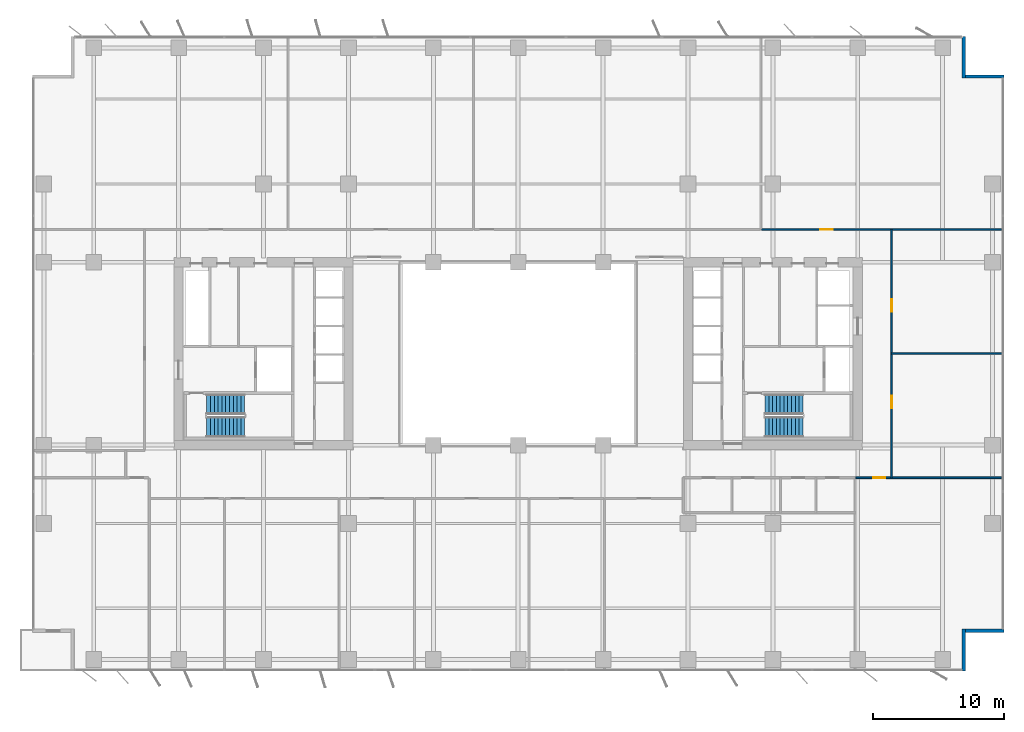
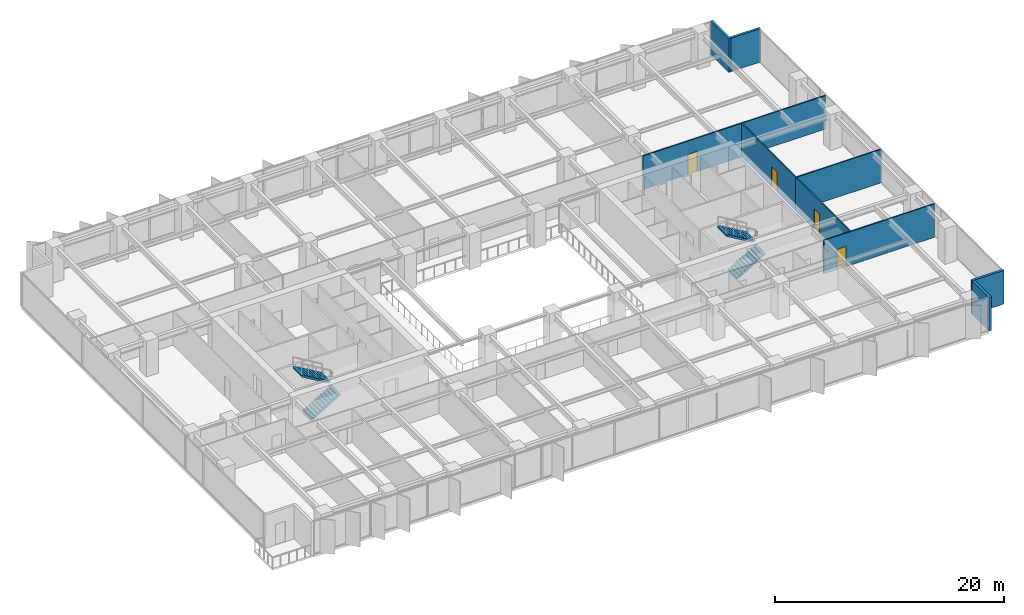
# One storey, part 16 of 20: 9 walls, 4 doors, 4 stair flights, 4 openings, 2 elements without a shape of their own.
"""IFC4 building model written with IfcOpenShell, lengths in metres."""

from ifc_helpers import new_model, si_unit, direction, frame, frame_2d, origin, place, context, subcontext, project, spatial, polyline, rectangle, outline, extrude, material, layer, layer_set, type_object, element, fill, aggregate, save


model = new_model("IFC4")

# Units and contexts
model_context = context("Model", 3, precision=1e-05, world=origin(), true_north=direction((0.0, 1.0)))
body_context = subcontext(model_context, "Body", "Model", "MODEL_VIEW")
ifc_project = project(units=[si_unit("LENGTHUNIT", "METRE"), si_unit("AREAUNIT", "SQUARE_METRE"), si_unit("VOLUMEUNIT", "CUBIC_METRE"), si_unit("PLANEANGLEUNIT", "RADIAN"), si_unit("MASSUNIT", "GRAM", prefix="KILO")], contexts=[model_context])

# Site, building, storey
site_placement = place(None, origin())
site = spatial("IfcSite", under=ifc_project, at=site_placement, CompositionType="ELEMENT")
building_placement = place(site_placement, origin())
building = spatial("IfcBuilding", under=site, at=building_placement, Name="Putna Gate Headquarters", CompositionType="ELEMENT")
storey_placement = place(building_placement, frame((0.0, 0.0, 97.39990234375)))
storey = spatial("IfcBuildingStorey", under=building, at=storey_placement, Name="L23", CompositionType="ELEMENT", Elevation=97.39990234375)

# Walls
ifc_material_1 = material(Name="Precast concrete C40/50", Category="concrete")
ifc_layer_1 = layer(ifc_material_1, 0.239990234375)
ifc_layer_set_1 = layer_set([ifc_layer_1], Name="Precast concrete C40/50")
wall_type_1 = type_object("IfcWallType", Name="WALL-EXT-TERR-240", PredefinedType="STANDARD", material=ifc_layer_set_1)
for number, where, z_axis, x_axis, name in (
    (1, (73.1201171875, 50.300048828125, 0.0), (0.0, 0.0, 1.0), (0.0, -1.0, 0.0), "L23 Corner Notch Return Wall NE-V"),
    (2, (73.0, 47.219970703125, 0.0), (0.0, 0.0, 1.0), (1.0, 0.0, 0.0), "L23 Corner Notch Return Wall NE-H"),
    (3, (73.1201171875, 4.89990234375, 0.0), (0.0, 0.0, 1.0), (0.0, -1.0, 0.0), "L23 Corner Notch Return Wall SE-V"),
    (4, (76.199951171875, 4.780029296875, 0.0), (0.0, 0.0, 1.0), (-1.0, 0.0, 0.0), "L23 Corner Notch Return Wall SE-H"),
):
    element("IfcWall", number, at=place(storey_placement, frame(where, z_axis=z_axis, x_axis=x_axis)), inside=storey, type_object=wall_type_1, Name=name, PredefinedType="STANDARD", context=body_context, shape_type="SweptSolid", body=[
        extrude(rectangle(XDim=3.199951171875, YDim=0.239990234375, at=frame_2d((1.60009765625, 0.0))), origin(), (0.0, 0.0, 1.0), 3.565185546875),
    ])
ifc_material_2 = material(Name="Acoustic gypsum board on metal stud")
ifc_layer_2 = layer(ifc_material_2, 0.1201171875)
ifc_layer_set_2 = layer_set([ifc_layer_2], Name="Acoustic gypsum board on metal stud")
wall_type_2 = type_object("IfcWallType", Name="WALL-PART-120", PredefinedType="PARTITIONING", material=ifc_layer_set_2)
wall_1_placement = place(storey_placement, frame((67.60009765625, 26.0, 0.0), z_axis=(0.0, 0.0, 1.0), x_axis=(1.0, 0.0, 0.0)))
element("IfcWall", 5, at=wall_1_placement, inside=storey, type_object=wall_type_2, Name="L23 Interior Wall PART-L23-EW-DIV-1", PredefinedType="PARTITIONING", context=body_context, shape_type="SweptSolid", body=[
    extrude(rectangle(XDim=8.579833984375, YDim=0.1201171875, at=frame_2d((4.2900390625, 0.0))), origin(), (0.0, 0.0, 1.0), 3.565185546875),
])

# Wall, opening, door
ifc_material_3 = material(Name="Fire-rated gypsum board on metal stud")
ifc_layer_3 = layer(ifc_material_3, 0.1201171875)
ifc_layer_set_3 = layer_set([ifc_layer_3], Name="Fire-rated gypsum board on metal stud")
wall_type_3 = type_object("IfcWallType", Name="WALL-PART-120-RATED", PredefinedType="PARTITIONING", material=ifc_layer_set_3)
wall_2_placement = place(storey_placement, frame((57.63671875, 35.5, 0.0), z_axis=(0.0, 0.0, 1.0), x_axis=(1.0, 0.0, 0.0)))
wall_2 = element("IfcWall", 6, at=wall_2_placement, inside=storey, type_object=wall_type_3, Name="L23 Interior Wall PART-L23-NB-CW-04", PredefinedType="PARTITIONING", context=body_context, shape_type="SweptSolid", body=[
    extrude(rectangle(XDim=18.38330078125, YDim=0.1201171875, at=frame_2d((9.191650390625, 0.0))), origin(), (0.0, 0.0, 1.0), 3.565185546875),
])
opening_1_placement = place(wall_2_placement, frame((4.506591796875, 0.0, 0.0)))
opening_1 = element("IfcOpeningElement", 7, at=opening_1_placement, cuts=wall_2, Name="Opening FD-95", PredefinedType="OPENING", context=body_context, shape_type="SweptSolid", body=[
    extrude(rectangle(XDim=0.949951171875, YDim=2.14990234375, at=frame_2d((0.47509765625, 1.074951171875))), frame((0.0, 0.070068359375, 0.0), z_axis=(0.0, -1.0, 0.0), x_axis=(1.0, 0.0, 0.0)), (0.0, 0.0, 1.0), 0.14013671875),
])
ifc_material_4 = material(Name="Acoustic timber fire door", Category="wood")
door_type = type_object("IfcDoorType", Name="DOOR-FIRE-950", OperationType="NOTDEFINED", PredefinedType="DOOR", material=ifc_material_4)
door_1_placement = place(opening_1_placement, origin())
door_1 = element("IfcDoor", 8, at=door_1_placement, inside=storey, type_object=door_type, Name="L23 Quiet Wellness Focus Studio 1 Door", OperationType="SINGLE_SWING_RIGHT", OverallHeight=2.14990234375, OverallWidth=0.949951171875, PredefinedType="DOOR", context=body_context, shape_type="SweptSolid", body=[
    extrude(rectangle(XDim=0.949951171875, YDim=2.14990234375, at=frame_2d((0.47509765625, 1.074951171875))), frame((0.0, 0.02490234375, 0.0), z_axis=(0.0, -1.0, 0.0), x_axis=(1.0, 0.0, 0.0)), (0.0, 0.0, 1.0), 0.050048828125),
])
fill(opening_1, door_1)

wall_3_placement = place(storey_placement, frame((64.860107421875, 16.5, 0.0), z_axis=(0.0, 0.0, 1.0), x_axis=(1.0, 0.0, 0.0)))
wall_3 = element("IfcWall", 9, at=wall_3_placement, inside=storey, type_object=wall_type_3, Name="L23 Interior Wall PART-L23-SB-CW-08", PredefinedType="PARTITIONING", context=body_context, shape_type="SweptSolid", body=[
    extrude(rectangle(XDim=11.159912109375, YDim=0.1201171875, at=frame_2d((5.580078125, 0.0))), origin(), (0.0, 0.0, 1.0), 3.565185546875),
])
opening_2_placement = place(wall_3_placement, frame((1.31005859375, 0.0, 0.0)))
opening_2 = element("IfcOpeningElement", 10, at=opening_2_placement, cuts=wall_3, Name="Opening FD-95", PredefinedType="OPENING", context=body_context, shape_type="SweptSolid", body=[
    extrude(rectangle(XDim=0.949951171875, YDim=2.14990234375, at=frame_2d((0.47509765625, 1.074951171875))), frame((0.0, 0.070068359375, 0.0), z_axis=(0.0, -1.0, 0.0), x_axis=(1.0, 0.0, 0.0)), (0.0, 0.0, 1.0), 0.14013671875),
])
door_2_placement = place(opening_2_placement, origin())
door_2 = element("IfcDoor", 11, at=door_2_placement, inside=storey, type_object=door_type, Name="L23 Quiet Wellness Focus Studio 3 Door", OperationType="SINGLE_SWING_RIGHT", OverallHeight=2.14990234375, OverallWidth=0.949951171875, PredefinedType="DOOR", context=body_context, shape_type="SweptSolid", body=[
    extrude(rectangle(XDim=0.949951171875, YDim=2.14990234375, at=frame_2d((0.47509765625, 1.074951171875))), frame((0.0, 0.02490234375, 0.0), z_axis=(0.0, -1.0, 0.0), x_axis=(1.0, 0.0, 0.0)), (0.0, 0.0, 1.0), 0.050048828125),
])
fill(opening_2, door_2)

wall_4_placement = place(storey_placement, frame((67.60009765625, 16.5, 0.0), z_axis=(0.0, 0.0, 1.0), x_axis=(0.0, 1.0, 0.0)))
wall_4 = element("IfcWall", 12, at=wall_4_placement, inside=storey, type_object=wall_type_3, Name="L23 Interior Wall PART-L23-EW-CW-1", PredefinedType="PARTITIONING", context=body_context, shape_type="SweptSolid", body=[
    extrude(rectangle(XDim=9.5, YDim=0.1201171875, at=frame_2d((4.75, 0.0))), origin(), (0.0, 0.0, 1.0), 3.565185546875),
])
opening_3_placement = place(wall_4_placement, frame((5.324951171875, 0.0, 0.0)))
opening_3 = element("IfcOpeningElement", 13, at=opening_3_placement, cuts=wall_4, Name="Opening FD-95", PredefinedType="OPENING", context=body_context, shape_type="SweptSolid", body=[
    extrude(rectangle(XDim=0.949951171875, YDim=2.14990234375, at=frame_2d((0.47509765625, 1.074951171875))), frame((0.0, 0.070068359375, 0.0), z_axis=(0.0, -1.0, 0.0), x_axis=(1.0, 0.0, 0.0)), (0.0, 0.0, 1.0), 0.14013671875),
])
door_3_placement = place(opening_3_placement, origin())
door_3 = element("IfcDoor", 14, at=door_3_placement, inside=storey, type_object=door_type, Name="L23 East Advisory Office 1 Door", OperationType="SINGLE_SWING_RIGHT", OverallHeight=2.14990234375, OverallWidth=0.949951171875, PredefinedType="DOOR", context=body_context, shape_type="SweptSolid", body=[
    extrude(rectangle(XDim=0.949951171875, YDim=2.14990234375, at=frame_2d((0.47509765625, 1.074951171875))), frame((0.0, 0.02490234375, 0.0), z_axis=(0.0, -1.0, 0.0), x_axis=(1.0, 0.0, 0.0)), (0.0, 0.0, 1.0), 0.050048828125),
])
fill(opening_3, door_3)

wall_5_placement = place(storey_placement, frame((67.60009765625, 26.0, 0.0), z_axis=(0.0, 0.0, 1.0), x_axis=(0.0, 1.0, 0.0)))
wall_5 = element("IfcWall", 15, at=wall_5_placement, inside=storey, type_object=wall_type_3, Name="L23 Interior Wall PART-L23-EW-CW-2", PredefinedType="PARTITIONING", context=body_context, shape_type="SweptSolid", body=[
    extrude(rectangle(XDim=9.5, YDim=0.1201171875, at=frame_2d((4.75, 0.0))), origin(), (0.0, 0.0, 1.0), 3.565185546875),
])
opening_4_placement = place(wall_5_placement, frame((3.22509765625, 0.0, 0.0)))
opening_4 = element("IfcOpeningElement", 16, at=opening_4_placement, cuts=wall_5, Name="Opening FD-95", PredefinedType="OPENING", context=body_context, shape_type="SweptSolid", body=[
    extrude(rectangle(XDim=0.949951171875, YDim=2.14990234375, at=frame_2d((0.47509765625, 1.074951171875))), frame((0.0, 0.070068359375, 0.0), z_axis=(0.0, -1.0, 0.0), x_axis=(1.0, 0.0, 0.0)), (0.0, 0.0, 1.0), 0.14013671875),
])
door_4_placement = place(opening_4_placement, origin())
door_4 = element("IfcDoor", 17, at=door_4_placement, inside=storey, type_object=door_type, Name="L23 East Horizon Conference Room 2 Door", OperationType="SINGLE_SWING_LEFT", OverallHeight=2.14990234375, OverallWidth=0.949951171875, PredefinedType="DOOR", context=body_context, shape_type="SweptSolid", body=[
    extrude(rectangle(XDim=0.949951171875, YDim=2.14990234375, at=frame_2d((0.47509765625, 1.074951171875))), frame((0.0, 0.02490234375, 0.0), z_axis=(0.0, -1.0, 0.0), x_axis=(1.0, 0.0, 0.0)), (0.0, 0.0, 1.0), 0.050048828125),
])
fill(opening_4, door_4)

# Stair, stair flights
ifc_material_5 = material(Name="Concrete C40/50", Category="concrete")
stair_type_1 = type_object("IfcStairType", Name="STAIR-ST1", PredefinedType="HALF_TURN_STAIR", material=ifc_material_5)
stair_1_placement = place(storey_placement, origin())
stair_1 = element("IfcStair", 18, at=stair_1_placement, inside=storey, type_object=stair_type_1, Name="L23 West Core Exit Stair ST1", PredefinedType="HALF_TURN_STAIR")
stair_flight_type_1 = type_object("IfcStairFlightType", Name="FLIGHT-ST1", PredefinedType="STRAIGHT", material=ifc_material_5)
stair_flight_1_placement = place(storey_placement, frame((15.14990234375, 20.375, 0.0), z_axis=(0.0, 0.0, 1.0), x_axis=(1.0, 0.0, 0.0)))
stair_flight_1 = element("IfcStairFlight", 19, at=stair_flight_1_placement, type_object=stair_flight_type_1, Name="ST1 flight 1", NumberOfRisers=11, NumberOfTreads=10, PredefinedType="STRAIGHT", RiserHeight=0.172727273, TreadLength=0.29, context=body_context, shape_type="SweptSolid", body=[
    extrude(outline(polyline([(0.0, 0.0), (0.0, 0.172607421875), (0.2900390625, 0.172607421875), (0.2900390625, 0.345458984375), (0.580078125, 0.345458984375), (0.580078125, 0.51806640625), (0.8701171875, 0.51806640625), (0.8701171875, 0.69091796875), (1.159912109375, 0.69091796875), (1.159912109375, 0.863525390625), (1.449951171875, 0.863525390625), (1.449951171875, 1.036376953125), (1.739990234375, 1.036376953125), (1.739990234375, 1.208984375), (2.030029296875, 1.208984375), (2.030029296875, 1.3818359375), (2.320068359375, 1.3818359375), (2.320068359375, 1.554443359375), (2.610107421875, 1.554443359375), (2.610107421875, 1.727294921875), (2.89990234375, 1.727294921875), (2.89990234375, 1.89990234375), (2.89990234375, 1.552734375), (0.29296875, 0.0), (0.0, 0.0)])), frame((0.0, 0.77490234375, 0.0), z_axis=(0.0, -1.0, 0.0), x_axis=(1.0, 0.0, 0.0)), (0.0, 0.0, 1.0), 1.550048828125),
])
stair_flight_2_placement = place(storey_placement, frame((18.050048828125, 22.125, 1.900146484375), z_axis=(0.0, 0.0, 1.0), x_axis=(-1.0, 0.0, 0.0)))
stair_flight_2 = element("IfcStairFlight", 20, at=stair_flight_2_placement, type_object=stair_flight_type_1, Name="ST1 flight 2", NumberOfRisers=11, NumberOfTreads=10, PredefinedType="STRAIGHT", RiserHeight=0.172727273, TreadLength=0.29, context=body_context, shape_type="SweptSolid", body=[
    extrude(outline(polyline([(0.0, 0.0), (0.0, 0.172607421875), (0.2900390625, 0.172607421875), (0.2900390625, 0.345458984375), (0.580078125, 0.345458984375), (0.580078125, 0.51806640625), (0.8701171875, 0.51806640625), (0.8701171875, 0.69091796875), (1.159912109375, 0.69091796875), (1.159912109375, 0.863525390625), (1.449951171875, 0.863525390625), (1.449951171875, 1.036376953125), (1.739990234375, 1.036376953125), (1.739990234375, 1.208984375), (2.030029296875, 1.208984375), (2.030029296875, 1.3818359375), (2.320068359375, 1.3818359375), (2.320068359375, 1.554443359375), (2.610107421875, 1.554443359375), (2.610107421875, 1.727294921875), (2.89990234375, 1.727294921875), (2.89990234375, 1.89990234375), (2.89990234375, 1.552734375), (0.29296875, 0.0), (0.0, 0.0)])), frame((0.0, 0.77490234375, 0.0), z_axis=(0.0, -1.0, 0.0), x_axis=(1.0, 0.0, 0.0)), (0.0, 0.0, 1.0), 1.550048828125),
])
aggregate(stair_1, [stair_flight_1, stair_flight_2])

stair_type_2 = type_object("IfcStairType", Name="STAIR-ST2", PredefinedType="HALF_TURN_STAIR", material=ifc_material_5)
stair_2_placement = place(storey_placement, origin())
stair_2 = element("IfcStair", 21, at=stair_2_placement, inside=storey, type_object=stair_type_2, Name="L23 East Core Exit Stair ST2", PredefinedType="HALF_TURN_STAIR")
stair_flight_type_2 = type_object("IfcStairFlightType", Name="FLIGHT-ST2", PredefinedType="STRAIGHT", material=ifc_material_5)
stair_flight_3_placement = place(storey_placement, frame((57.89990234375, 20.375, 0.0), z_axis=(0.0, 0.0, 1.0), x_axis=(1.0, 0.0, 0.0)))
stair_flight_3 = element("IfcStairFlight", 22, at=stair_flight_3_placement, type_object=stair_flight_type_2, Name="ST2 flight 1", NumberOfRisers=11, NumberOfTreads=10, PredefinedType="STRAIGHT", RiserHeight=0.172727273, TreadLength=0.29, context=body_context, shape_type="SweptSolid", body=[
    extrude(outline(polyline([(0.0, 0.0), (0.0, 0.172607421875), (0.2900390625, 0.172607421875), (0.2900390625, 0.345458984375), (0.580078125, 0.345458984375), (0.580078125, 0.51806640625), (0.8701171875, 0.51806640625), (0.8701171875, 0.69091796875), (1.159912109375, 0.69091796875), (1.159912109375, 0.863525390625), (1.449951171875, 0.863525390625), (1.449951171875, 1.036376953125), (1.739990234375, 1.036376953125), (1.739990234375, 1.208984375), (2.030029296875, 1.208984375), (2.030029296875, 1.3818359375), (2.320068359375, 1.3818359375), (2.320068359375, 1.554443359375), (2.610107421875, 1.554443359375), (2.610107421875, 1.727294921875), (2.89990234375, 1.727294921875), (2.89990234375, 1.89990234375), (2.89990234375, 1.552734375), (0.29296875, 0.0), (0.0, 0.0)])), frame((0.0, 0.77490234375, 0.0), z_axis=(0.0, -1.0, 0.0), x_axis=(1.0, 0.0, 0.0)), (0.0, 0.0, 1.0), 1.550048828125),
])
stair_flight_4_placement = place(storey_placement, frame((60.800048828125, 22.125, 1.900146484375), z_axis=(0.0, 0.0, 1.0), x_axis=(-1.0, 0.0, 0.0)))
stair_flight_4 = element("IfcStairFlight", 23, at=stair_flight_4_placement, type_object=stair_flight_type_2, Name="ST2 flight 2", NumberOfRisers=11, NumberOfTreads=10, PredefinedType="STRAIGHT", RiserHeight=0.172727273, TreadLength=0.29, context=body_context, shape_type="SweptSolid", body=[
    extrude(outline(polyline([(0.0, 0.0), (0.0, 0.172607421875), (0.2900390625, 0.172607421875), (0.2900390625, 0.345458984375), (0.580078125, 0.345458984375), (0.580078125, 0.51806640625), (0.8701171875, 0.51806640625), (0.8701171875, 0.69091796875), (1.159912109375, 0.69091796875), (1.159912109375, 0.863525390625), (1.449951171875, 0.863525390625), (1.449951171875, 1.036376953125), (1.739990234375, 1.036376953125), (1.739990234375, 1.208984375), (2.030029296875, 1.208984375), (2.030029296875, 1.3818359375), (2.320068359375, 1.3818359375), (2.320068359375, 1.554443359375), (2.610107421875, 1.554443359375), (2.610107421875, 1.727294921875), (2.89990234375, 1.727294921875), (2.89990234375, 1.89990234375), (2.89990234375, 1.552734375), (0.29296875, 0.0), (0.0, 0.0)])), frame((0.0, 0.77490234375, 0.0), z_axis=(0.0, -1.0, 0.0), x_axis=(1.0, 0.0, 0.0)), (0.0, 0.0, 1.0), 1.550048828125),
])
aggregate(stair_2, [stair_flight_3, stair_flight_4])

save(model, "model.ifc")
